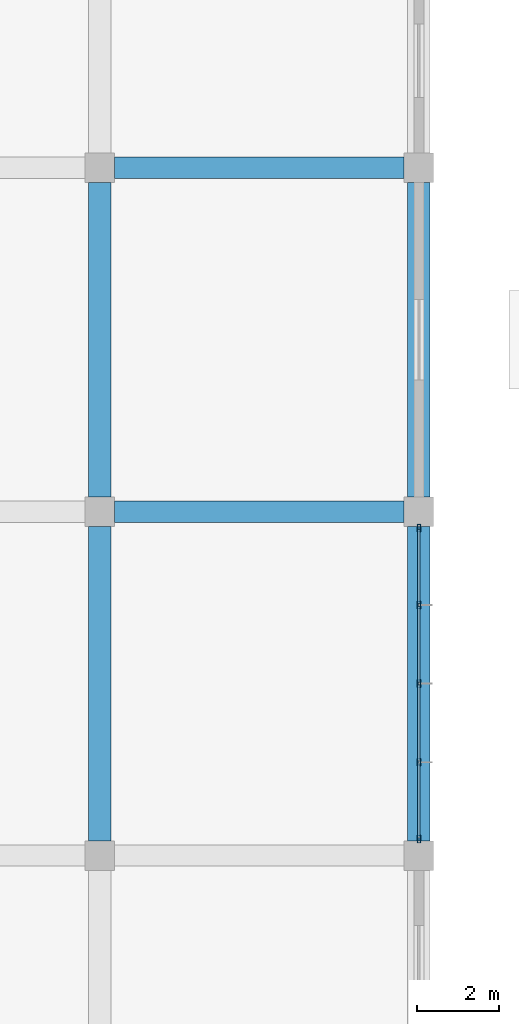
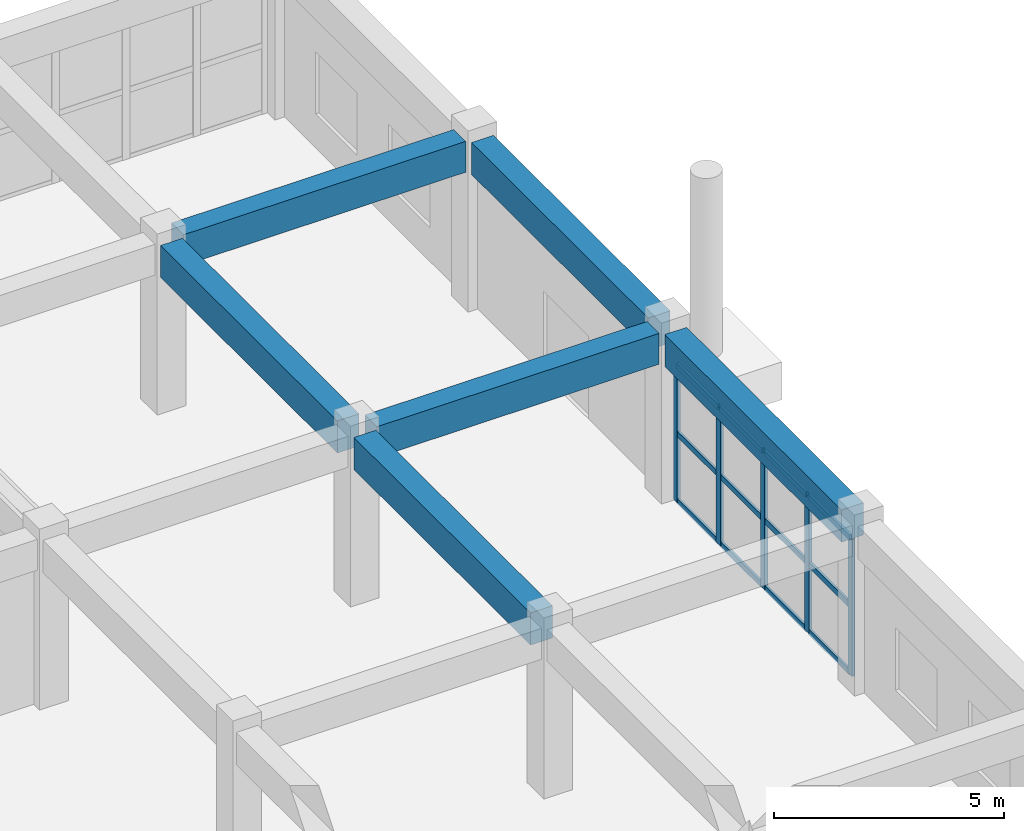
# One storey, part 91 of 139: 17 members, 6 beams, 1 element without a shape of its own.
"""IFC4 building model written with IfcOpenShell, lengths in metres."""

from ifc_helpers import new_model, si_unit, direction, frame, origin, origin_2d, place, context, subcontext, project, spatial, rectangle, hollow_rectangle, extrude, material, layer, layer_set, material_profile, profile_set, type_object, element, aggregate, save


model = new_model("IFC4")

# Units and contexts
model_context = context("Model", 3, precision=1e-05, world=origin(), true_north=direction((0.0, 1.0)))
body_context = subcontext(model_context, "Body", "Model", "MODEL_VIEW")
ifc_project = project(units=[si_unit("LENGTHUNIT", "METRE"), si_unit("AREAUNIT", "SQUARE_METRE"), si_unit("VOLUMEUNIT", "CUBIC_METRE"), si_unit("PLANEANGLEUNIT", "RADIAN"), si_unit("MASSUNIT", "GRAM", prefix="KILO")], contexts=[model_context])

# Site, building, storey
site_placement = place(None, origin())
site = spatial("IfcSite", under=ifc_project, at=site_placement, CompositionType="ELEMENT")
building_placement = place(site_placement, origin())
building = spatial("IfcBuilding", under=site, at=building_placement, Name="Zizhar Promenade General Hospital", CompositionType="ELEMENT")
storey_placement = place(building_placement, origin())
storey = spatial("IfcBuildingStorey", under=building, at=storey_placement, Name="L00", CompositionType="ELEMENT", Elevation=0.0)

# Beams
ifc_material_1 = material(Name="Concrete C35/45", Category="concrete")
ifc_material_profile_1 = material_profile(ifc_material_1, rectangle(XDim=0.52001953125, YDim=0.820068359375, at=origin_2d()))
ifc_profile_set_1 = profile_set([ifc_material_profile_1], Name="Concrete C35/45")
beam_type_1 = type_object("IfcBeamType", Name="BM-RC-520x820", PredefinedType="BEAM", material=ifc_profile_set_1)
for number, where, z_axis, x_axis, name in (
    (1, (187.56005859375, 92.39990234375, 4.06005859375), (1.0, 0.0, 0.0), (0.0, 1.0, 0.0), "Grid Beam X L00 (24-11)"),
    (2, (187.56005859375, 100.800048828125, 4.06005859375), (1.0, 0.0, 0.0), (0.0, 1.0, 0.0), "Grid Beam X L00 (24-12)"),
):
    element("IfcBeam", number, at=place(storey_placement, frame(where, z_axis=z_axis, x_axis=x_axis)), inside=storey, type_object=beam_type_1, Name=name, PredefinedType="BEAM", context=body_context, shape_type="SweptSolid", body=[
        extrude(rectangle(XDim=0.52001953125, YDim=0.820068359375, at=origin_2d()), origin(), (0.0, 0.0, 1.0), 7.079833984375),
    ])
ifc_material_2 = material(Name="Concrete C35/45", Category="concrete")
ifc_material_profile_2 = material_profile(ifc_material_2, rectangle(XDim=0.550048828125, YDim=0.85009765625, at=origin_2d()))
ifc_profile_set_2 = profile_set([ifc_material_profile_2], Name="Concrete C35/45")
beam_type_2 = type_object("IfcBeamType", Name="BM-RC-550x850", PredefinedType="BEAM", material=ifc_profile_set_2)
for number, where, z_axis, x_axis, name in (
    (3, (187.199951171875, 84.360107421875, 4.044921875), (0.0, 1.0, 0.0), (-1.0, 0.0, 0.0), "Grid Beam Y L00 (24-10)"),
    (4, (187.199951171875, 92.760009765625, 4.044921875), (0.0, 1.0, 0.0), (-1.0, 0.0, 0.0), "Grid Beam Y L00 (24-11)"),
    (5, (195.0, 84.360107421875, 4.044921875), (0.0, 1.0, 0.0), (-1.0, 0.0, 0.0), "Grid Beam Y L00 (25-10)"),
    (6, (195.0, 92.760009765625, 4.044921875), (0.0, 1.0, 0.0), (-1.0, 0.0, 0.0), "Grid Beam Y L00 (25-11)"),
):
    element("IfcBeam", number, at=place(storey_placement, frame(where, z_axis=z_axis, x_axis=x_axis)), inside=storey, type_object=beam_type_2, Name=name, PredefinedType="BEAM", context=body_context, shape_type="SweptSolid", body=[
        extrude(rectangle(XDim=0.550048828125, YDim=0.85009765625, at=origin_2d()), origin(), (0.0, 0.0, 1.0), 7.679931640625),
    ])

# Curtain wall, members
ifc_material_3 = material(Name="Anodised aluminium 6063-T6 and low-E glass", Category="aluminium")
ifc_layer = layer(ifc_material_3, 0.159912109375)
ifc_layer_set = layer_set([ifc_layer], Name="Anodised aluminium 6063-T6 and low-E glass")
curtain_wall_type = type_object("IfcCurtainWallType", Name="CW-CLN-EXT", PredefinedType="NOTDEFINED", material=ifc_layer_set)
curtain_wall_placement = place(storey_placement, origin())
curtain_wall = element("IfcCurtainWall", 7, at=curtain_wall_placement, inside=storey, type_object=curtain_wall_type, Name="Outpatient East Curtain Wall L00-10", PredefinedType="NOTDEFINED")
ifc_material_4 = material(Name="Anodised aluminium 6063-T6", Category="aluminium")
ifc_material_profile_3 = material_profile(ifc_material_4, hollow_rectangle(XDim=0.080078125, YDim=0.179931640625, WallThickness=0.0048828125, at=origin_2d()))
ifc_profile_set_3 = profile_set([ifc_material_profile_3], Name="Anodised aluminium 6063-T6")
member_type_1 = type_object("IfcMemberType", Name="CWM-ALU-180x80", PredefinedType="MULLION", material=ifc_profile_set_3)
member_1_placement = place(storey_placement, frame((195.0, 92.0, 0.0), z_axis=(0.0, 0.0, 1.0), x_axis=(1.0, 0.0, 0.0)))
member_1 = element("IfcMember", 8, at=member_1_placement, type_object=member_type_1, Name="CW-09 mullion 1", PredefinedType="MULLION", context=body_context, shape_type="SweptSolid", body=[
    extrude(hollow_rectangle(XDim=0.080078125, YDim=0.179931640625, WallThickness=0.0048828125, at=origin_2d()), origin(), (0.0, 0.0, 1.0), 3.6298828125),
])
member_2_placement = place(storey_placement, frame((195.0, 90.1201171875, 0.0), z_axis=(0.0, 0.0, 1.0), x_axis=(1.0, 0.0, 0.0)))
member_2 = element("IfcMember", 9, at=member_2_placement, type_object=member_type_1, Name="CW-09 mullion 2", PredefinedType="MULLION", context=body_context, shape_type="SweptSolid", body=[
    extrude(hollow_rectangle(XDim=0.080078125, YDim=0.179931640625, WallThickness=0.0048828125, at=origin_2d()), origin(), (0.0, 0.0, 1.0), 3.6298828125),
])
member_3_placement = place(storey_placement, frame((195.0, 88.199951171875, 0.0), z_axis=(0.0, 0.0, 1.0), x_axis=(1.0, 0.0, 0.0)))
member_3 = element("IfcMember", 10, at=member_3_placement, type_object=member_type_1, Name="CW-09 mullion 3", PredefinedType="MULLION", context=body_context, shape_type="SweptSolid", body=[
    extrude(hollow_rectangle(XDim=0.080078125, YDim=0.179931640625, WallThickness=0.0048828125, at=origin_2d()), origin(), (0.0, 0.0, 1.0), 3.6298828125),
])
member_4_placement = place(storey_placement, frame((195.0, 86.280029296875, 0.0), z_axis=(0.0, 0.0, 1.0), x_axis=(1.0, 0.0, 0.0)))
member_4 = element("IfcMember", 11, at=member_4_placement, type_object=member_type_1, Name="CW-09 mullion 4", PredefinedType="MULLION", context=body_context, shape_type="SweptSolid", body=[
    extrude(hollow_rectangle(XDim=0.080078125, YDim=0.179931640625, WallThickness=0.0048828125, at=origin_2d()), origin(), (0.0, 0.0, 1.0), 3.6298828125),
])
member_5_placement = place(storey_placement, frame((195.0, 84.39990234375, 0.0), z_axis=(0.0, 0.0, 1.0), x_axis=(1.0, 0.0, 0.0)))
member_5 = element("IfcMember", 12, at=member_5_placement, type_object=member_type_1, Name="CW-09 mullion 5", PredefinedType="MULLION", context=body_context, shape_type="SweptSolid", body=[
    extrude(hollow_rectangle(XDim=0.080078125, YDim=0.179931640625, WallThickness=0.0048828125, at=origin_2d()), origin(), (0.0, 0.0, 1.0), 3.6298828125),
])
ifc_material_5 = material(Name="Anodised aluminium 6063-T6", Category="aluminium")
ifc_material_profile_4 = material_profile(ifc_material_5, hollow_rectangle(XDim=0.06005859375, YDim=0.14990234375, WallThickness=0.00390625, at=origin_2d()))
ifc_profile_set_4 = profile_set([ifc_material_profile_4], Name="Anodised aluminium 6063-T6")
member_type_2 = type_object("IfcMemberType", Name="CWT-ALU-150x60", PredefinedType="USERDEFINED", material=ifc_profile_set_4)
member_6_placement = place(storey_placement, frame((195.0, 91.9599609375, 0.030029296875), z_axis=(0.0, -1.0, 0.0), x_axis=(1.0, 0.0, 0.0)))
member_6 = element("IfcMember", 13, at=member_6_placement, type_object=member_type_2, Name="CW-09 transom 1.1", ObjectType="TRANSOM", PredefinedType="USERDEFINED", context=body_context, shape_type="SweptSolid", body=[
    extrude(hollow_rectangle(XDim=0.06005859375, YDim=0.14990234375, WallThickness=0.00390625, at=origin_2d()), origin(), (0.0, 0.0, 1.0), 1.800048828125),
])
member_7_placement = place(storey_placement, frame((195.0, 91.9599609375, 1.81494140625), z_axis=(0.0, -1.0, 0.0), x_axis=(1.0, 0.0, 0.0)))
member_7 = element("IfcMember", 14, at=member_7_placement, type_object=member_type_2, Name="CW-09 transom 1.2", ObjectType="TRANSOM", PredefinedType="USERDEFINED", context=body_context, shape_type="SweptSolid", body=[
    extrude(hollow_rectangle(XDim=0.06005859375, YDim=0.14990234375, WallThickness=0.00390625, at=origin_2d()), origin(), (0.0, 0.0, 1.0), 1.800048828125),
])
member_8_placement = place(storey_placement, frame((195.0, 91.9599609375, 3.60009765625), z_axis=(0.0, -1.0, 0.0), x_axis=(1.0, 0.0, 0.0)))
member_8 = element("IfcMember", 15, at=member_8_placement, type_object=member_type_2, Name="CW-09 transom 1.3", ObjectType="TRANSOM", PredefinedType="USERDEFINED", context=body_context, shape_type="SweptSolid", body=[
    extrude(hollow_rectangle(XDim=0.06005859375, YDim=0.14990234375, WallThickness=0.00390625, at=origin_2d()), origin(), (0.0, 0.0, 1.0), 1.800048828125),
])
member_9_placement = place(storey_placement, frame((195.0, 90.080078125, 0.030029296875), z_axis=(0.0, -1.0, 0.0), x_axis=(1.0, 0.0, 0.0)))
member_9 = element("IfcMember", 16, at=member_9_placement, type_object=member_type_2, Name="CW-09 transom 2.1", ObjectType="TRANSOM", PredefinedType="USERDEFINED", context=body_context, shape_type="SweptSolid", body=[
    extrude(hollow_rectangle(XDim=0.06005859375, YDim=0.14990234375, WallThickness=0.00390625, at=origin_2d()), origin(), (0.0, 0.0, 1.0), 1.840087890625),
])
member_10_placement = place(storey_placement, frame((195.0, 90.080078125, 1.81494140625), z_axis=(0.0, -1.0, 0.0), x_axis=(1.0, 0.0, 0.0)))
member_10 = element("IfcMember", 17, at=member_10_placement, type_object=member_type_2, Name="CW-09 transom 2.2", ObjectType="TRANSOM", PredefinedType="USERDEFINED", context=body_context, shape_type="SweptSolid", body=[
    extrude(hollow_rectangle(XDim=0.06005859375, YDim=0.14990234375, WallThickness=0.00390625, at=origin_2d()), origin(), (0.0, 0.0, 1.0), 1.840087890625),
])
member_11_placement = place(storey_placement, frame((195.0, 90.080078125, 3.60009765625), z_axis=(0.0, -1.0, 0.0), x_axis=(1.0, 0.0, 0.0)))
member_11 = element("IfcMember", 18, at=member_11_placement, type_object=member_type_2, Name="CW-09 transom 2.3", ObjectType="TRANSOM", PredefinedType="USERDEFINED", context=body_context, shape_type="SweptSolid", body=[
    extrude(hollow_rectangle(XDim=0.06005859375, YDim=0.14990234375, WallThickness=0.00390625, at=origin_2d()), origin(), (0.0, 0.0, 1.0), 1.840087890625),
])
member_12_placement = place(storey_placement, frame((195.0, 88.159912109375, 0.030029296875), z_axis=(0.0, -1.0, 0.0), x_axis=(1.0, 0.0, 0.0)))
member_12 = element("IfcMember", 19, at=member_12_placement, type_object=member_type_2, Name="CW-09 transom 3.1", ObjectType="TRANSOM", PredefinedType="USERDEFINED", context=body_context, shape_type="SweptSolid", body=[
    extrude(hollow_rectangle(XDim=0.06005859375, YDim=0.14990234375, WallThickness=0.00390625, at=origin_2d()), origin(), (0.0, 0.0, 1.0), 1.83984375),
])
member_13_placement = place(storey_placement, frame((195.0, 88.159912109375, 1.81494140625), z_axis=(0.0, -1.0, 0.0), x_axis=(1.0, 0.0, 0.0)))
member_13 = element("IfcMember", 20, at=member_13_placement, type_object=member_type_2, Name="CW-09 transom 3.2", ObjectType="TRANSOM", PredefinedType="USERDEFINED", context=body_context, shape_type="SweptSolid", body=[
    extrude(hollow_rectangle(XDim=0.06005859375, YDim=0.14990234375, WallThickness=0.00390625, at=origin_2d()), origin(), (0.0, 0.0, 1.0), 1.83984375),
])
member_14_placement = place(storey_placement, frame((195.0, 88.159912109375, 3.60009765625), z_axis=(0.0, -1.0, 0.0), x_axis=(1.0, 0.0, 0.0)))
member_14 = element("IfcMember", 21, at=member_14_placement, type_object=member_type_2, Name="CW-09 transom 3.3", ObjectType="TRANSOM", PredefinedType="USERDEFINED", context=body_context, shape_type="SweptSolid", body=[
    extrude(hollow_rectangle(XDim=0.06005859375, YDim=0.14990234375, WallThickness=0.00390625, at=origin_2d()), origin(), (0.0, 0.0, 1.0), 1.83984375),
])
member_15_placement = place(storey_placement, frame((195.0, 86.239990234375, 0.030029296875), z_axis=(0.0, -1.0, 0.0), x_axis=(1.0, 0.0, 0.0)))
member_15 = element("IfcMember", 22, at=member_15_placement, type_object=member_type_2, Name="CW-09 transom 4.1", ObjectType="TRANSOM", PredefinedType="USERDEFINED", context=body_context, shape_type="SweptSolid", body=[
    extrude(hollow_rectangle(XDim=0.06005859375, YDim=0.14990234375, WallThickness=0.00390625, at=origin_2d()), origin(), (0.0, 0.0, 1.0), 1.800048828125),
])
member_16_placement = place(storey_placement, frame((195.0, 86.239990234375, 1.81494140625), z_axis=(0.0, -1.0, 0.0), x_axis=(1.0, 0.0, 0.0)))
member_16 = element("IfcMember", 23, at=member_16_placement, type_object=member_type_2, Name="CW-09 transom 4.2", ObjectType="TRANSOM", PredefinedType="USERDEFINED", context=body_context, shape_type="SweptSolid", body=[
    extrude(hollow_rectangle(XDim=0.06005859375, YDim=0.14990234375, WallThickness=0.00390625, at=origin_2d()), origin(), (0.0, 0.0, 1.0), 1.800048828125),
])
member_17_placement = place(storey_placement, frame((195.0, 86.239990234375, 3.60009765625), z_axis=(0.0, -1.0, 0.0), x_axis=(1.0, 0.0, 0.0)))
member_17 = element("IfcMember", 24, at=member_17_placement, type_object=member_type_2, Name="CW-09 transom 4.3", ObjectType="TRANSOM", PredefinedType="USERDEFINED", context=body_context, shape_type="SweptSolid", body=[
    extrude(hollow_rectangle(XDim=0.06005859375, YDim=0.14990234375, WallThickness=0.00390625, at=origin_2d()), origin(), (0.0, 0.0, 1.0), 1.800048828125),
])
aggregate(curtain_wall, [member_1, member_2, member_3, member_4, member_5, member_6, member_7, member_8, member_9, member_10, member_11, member_12, member_13, member_14, member_15, member_16, member_17])

save(model, "model.ifc")
